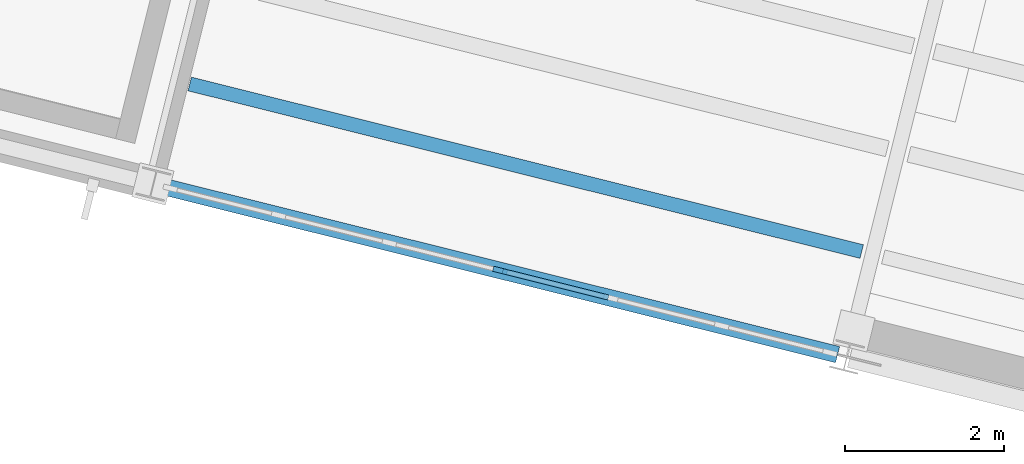
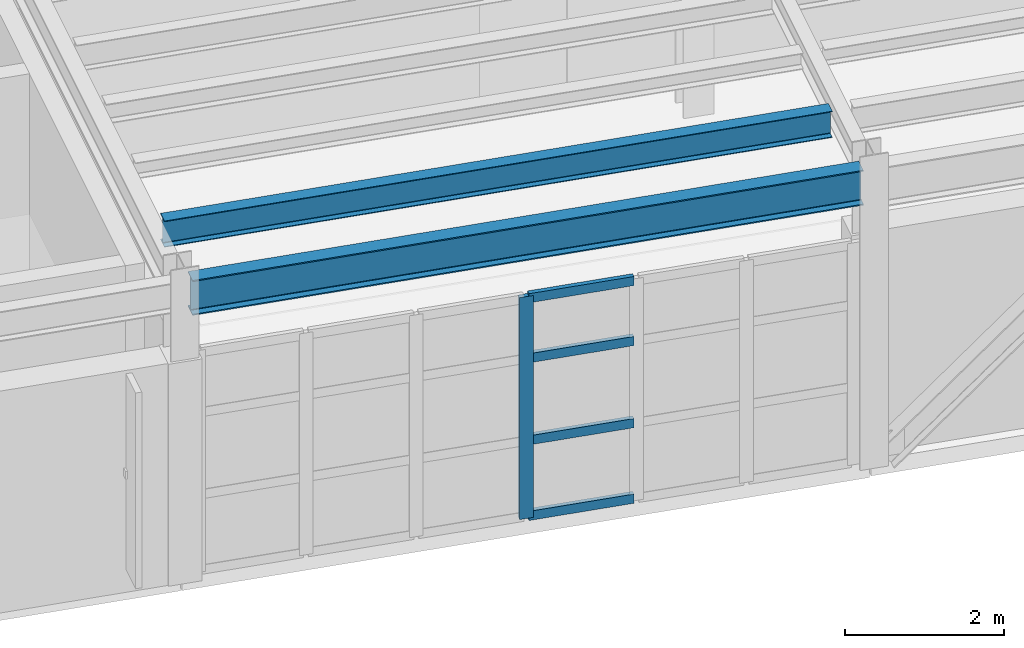
# One storey, part 26 of 109: 5 members, 2 beams, 1 element without a shape of its own.
"""IFC4 building model written with IfcOpenShell, lengths in metres."""

from ifc_helpers import new_model, si_unit, direction, frame, origin, origin_2d, place, context, subcontext, project, spatial, rectangle, i_section, extrude, material, layer, layer_set, material_profile, profile_set, type_object, element, aggregate, save


model = new_model("IFC4")

# Units and contexts
model_context = context("Model", 3, precision=1e-05, world=origin(), true_north=direction((0.0, 1.0)))
body_context = subcontext(model_context, "Body", "Model", "MODEL_VIEW")
ifc_project = project(units=[si_unit("LENGTHUNIT", "METRE"), si_unit("AREAUNIT", "SQUARE_METRE"), si_unit("VOLUMEUNIT", "CUBIC_METRE"), si_unit("PLANEANGLEUNIT", "RADIAN"), si_unit("MASSUNIT", "GRAM", prefix="KILO")], contexts=[model_context])

# Site, building, storey
site_placement = place(None, origin())
site = spatial("IfcSite", under=ifc_project, at=site_placement, CompositionType="ELEMENT")
building_placement = place(site_placement, origin())
building = spatial("IfcBuilding", under=site, at=building_placement, Name="Vireo Bluff Cable Station", CompositionType="ELEMENT")
storey_placement = place(building_placement, frame((0.0, 0.0, 4.800048828125)))
storey = spatial("IfcBuildingStorey", under=building, at=storey_placement, Name="L01", CompositionType="ELEMENT", Elevation=4.800048828125)

# Curtain wall, members
ifc_material_1 = material(Name="Anodized Aluminium 6063-T6", Category="aluminium")
ifc_layer = layer(ifc_material_1, 0.179931640625, Name="Anodized Aluminium 6063-T6")
ifc_layer_set = layer_set([ifc_layer], Name="Anodized Aluminium 6063-T6")
curtain_wall_type = type_object("IfcCurtainWallType", Name="CW-UNIT-1500", PredefinedType="USERDEFINED", material=ifc_layer_set)
curtain_wall_placement = place(storey_placement, origin())
curtain_wall = element("IfcCurtainWall", 1, at=curtain_wall_placement, inside=storey, type_object=curtain_wall_type, Name="V1 L01 south curtain wall CW-004", ObjectType="UNITISED CURTAIN WALL", PredefinedType="USERDEFINED")
ifc_material_profile_1 = material_profile(ifc_material_1, rectangle(XDim=0.06494140625, YDim=0.179931640625, at=origin_2d()), Name="ALU-M-65X180")
ifc_profile_set_1 = profile_set([ifc_material_profile_1], Name="Anodized Aluminium 6063-T6")
member_type_1 = type_object("IfcMemberType", Name="CWM-01", PredefinedType="MULLION", material=ifc_profile_set_1)
member_1_placement = place(storey_placement, frame((67.098876953125, 34.734130859375, 0.0), z_axis=(0.0, 0.0, 1.0), x_axis=(-0.241921973348, -0.970295706891, 0.0)))
member_1 = element("IfcMember", 2, at=member_1_placement, type_object=member_type_1, Name="CW-004 mullion 4", PredefinedType="MULLION", context=body_context, shape_type="SweptSolid", body=[
    extrude(rectangle(XDim=0.06494140625, YDim=0.179931640625, at=origin_2d()), origin(), (0.0, 0.0, 1.0), 3.39990234375),
])
ifc_material_profile_2 = material_profile(ifc_material_1, rectangle(XDim=0.06494140625, YDim=0.139892578125, at=origin_2d()), Name="ALU-T-65X140")
ifc_profile_set_2 = profile_set([ifc_material_profile_2], Name="Anodized Aluminium 6063-T6")
member_type_2 = type_object("IfcMemberType", Name="CWT-01", PredefinedType="USERDEFINED", material=ifc_profile_set_2)
member_2_placement = place(storey_placement, frame((68.46240234375, 34.39404296875, 0.032470703125), z_axis=(-0.970299244114, 0.241907785884, 0.0), x_axis=(-0.241907785884, -0.970299244114, 0.0)))
member_2 = element("IfcMember", 3, at=member_2_placement, type_object=member_type_2, Name="CW-004 transom 3.1", ObjectType="TRANSOM", PredefinedType="USERDEFINED", context=body_context, shape_type="SweptSolid", body=[
    extrude(rectangle(XDim=0.06494140625, YDim=0.139892578125, at=origin_2d()), origin(), (0.0, 0.0, 1.0), 1.37255859375),
])
member_3_placement = place(storey_placement, frame((68.46240234375, 34.39404296875, 1.18994140625), z_axis=(-0.970299244114, 0.241907785884, 0.0), x_axis=(-0.241907785884, -0.970299244114, 0.0)))
member_3 = element("IfcMember", 4, at=member_3_placement, type_object=member_type_2, Name="CW-004 transom 3.2", ObjectType="TRANSOM", PredefinedType="USERDEFINED", context=body_context, shape_type="SweptSolid", body=[
    extrude(rectangle(XDim=0.06494140625, YDim=0.139892578125, at=origin_2d()), origin(), (0.0, 0.0, 1.0), 1.37255859375),
])
member_4_placement = place(storey_placement, frame((68.46240234375, 34.39404296875, 2.447998046875), z_axis=(-0.970299244114, 0.241907785884, 0.0), x_axis=(-0.241907785884, -0.970299244114, 0.0)))
member_4 = element("IfcMember", 5, at=member_4_placement, type_object=member_type_2, Name="CW-004 transom 3.3", ObjectType="TRANSOM", PredefinedType="USERDEFINED", context=body_context, shape_type="SweptSolid", body=[
    extrude(rectangle(XDim=0.06494140625, YDim=0.139892578125, at=origin_2d()), origin(), (0.0, 0.0, 1.0), 1.37255859375),
])
member_5_placement = place(storey_placement, frame((68.46240234375, 34.39404296875, 3.367431640625), z_axis=(-0.970299244114, 0.241907785884, 0.0), x_axis=(-0.241907785884, -0.970299244114, 0.0)))
member_5 = element("IfcMember", 6, at=member_5_placement, type_object=member_type_2, Name="CW-004 transom 3.4", ObjectType="TRANSOM", PredefinedType="USERDEFINED", context=body_context, shape_type="SweptSolid", body=[
    extrude(rectangle(XDim=0.06494140625, YDim=0.139892578125, at=origin_2d()), origin(), (0.0, 0.0, 1.0), 1.37255859375),
])
aggregate(curtain_wall, [member_1, member_2, member_3, member_4, member_5])

# Beams
ifc_material_2 = material(Name="Steel ASTM A992 Gr. 50", Category="steel")
ifc_material_profile_3 = material_profile(ifc_material_2, i_section(OverallWidth=0.177978515625, OverallDepth=0.404052734375, WebThickness=0.007568359375, FlangeThickness=0.010986328125, FilletRadius=0.010009765625, at=origin_2d()), Name="W16X36")
ifc_profile_set_3 = profile_set([ifc_material_profile_3], Name="Steel ASTM A992 Gr. 50")
beam_type_1 = type_object("IfcBeamType", Name="JST-W16X36", PredefinedType="JOIST", material=ifc_profile_set_3)
beam_1_placement = place(storey_placement, frame((63.191162109375, 37.08251953125, 4.337890625), z_axis=(0.970293828661, -0.24192950639, 0.0), x_axis=(0.24192950639, 0.970293828661, 0.0)))
element("IfcBeam", 7, at=beam_1_placement, inside=storey, type_object=beam_type_1, Name="V1 L01 composite joist 88", PredefinedType="JOIST", context=body_context, shape_type="SweptSolid", body=[
    extrude(i_section(OverallWidth=0.177978515625, OverallDepth=0.404052734375, WebThickness=0.007568359375, FlangeThickness=0.010986328125, FilletRadius=0.010009765625, at=origin_2d()), origin(), (0.0, 0.0, 1.0), 8.719970703125),
])
ifc_material_profile_4 = material_profile(ifc_material_2, i_section(OverallWidth=0.2099609375, OverallDepth=0.535888671875, WebThickness=0.010986328125, FlangeThickness=0.017333984375, FilletRadius=0.012939453125, at=origin_2d()), Name="W21X68")
ifc_profile_set_4 = profile_set([ifc_material_profile_4], Name="Steel ASTM A992 Gr. 50")
beam_type_2 = type_object("IfcBeamType", Name="SPN-W21X68", PredefinedType="SPANDREL", material=ifc_profile_set_4)
beam_2_placement = place(storey_placement, frame((62.84912109375, 35.793701171875, 4.27197265625), z_axis=(0.970291502693, -0.241938834838, 0.0), x_axis=(0.241938834838, 0.970291502693, 0.0)))
element("IfcBeam", 8, at=beam_2_placement, inside=storey, type_object=beam_type_2, Name="V1 L01 spandrel 41", PredefinedType="SPANDREL", context=body_context, shape_type="SweptSolid", body=[
    extrude(i_section(OverallWidth=0.2099609375, OverallDepth=0.535888671875, WebThickness=0.010986328125, FlangeThickness=0.017333984375, FilletRadius=0.012939453125, at=origin_2d()), origin(), (0.0, 0.0, 1.0), 8.760009765625),
])

save(model, "model.ifc")
